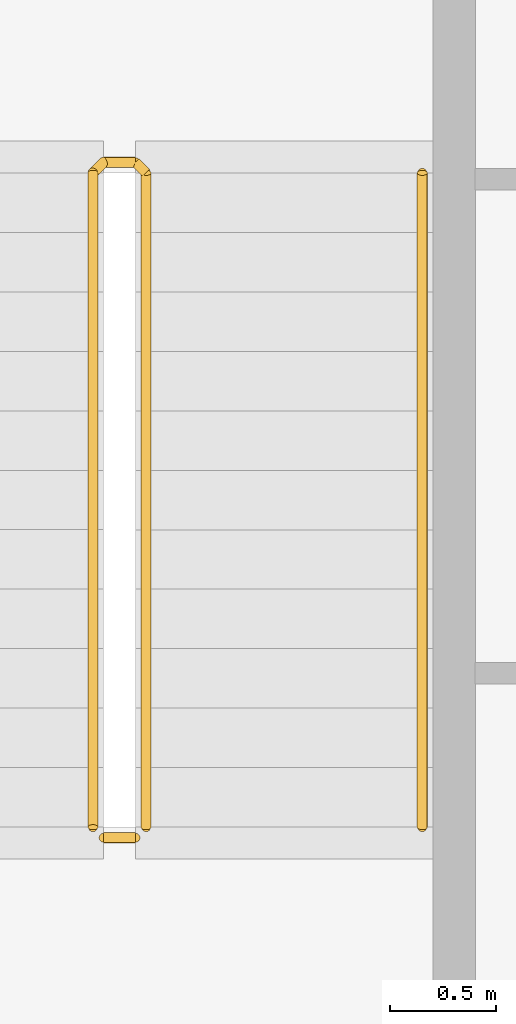
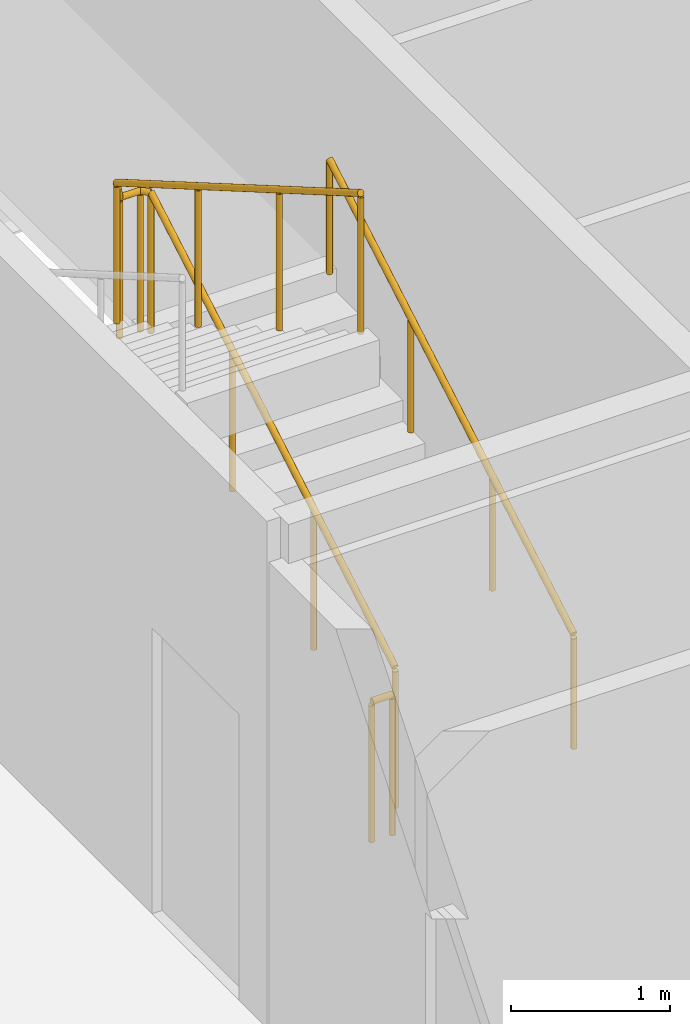
# One storey, part 26 of 27: 3 railings.
"""IFC4 building model written with IfcOpenShell, lengths in metres."""

from ifc_helpers import new_model, si_unit, direction, frame, origin, origin_2d, place, context, subcontext, project, spatial, circle, extrude, material, type_object, element, save


model = new_model("IFC4")

# Units and contexts
model_context = context("Model", 3, precision=1e-05, world=origin(), true_north=direction((0.0, 1.0)))
body_context = subcontext(model_context, "Body", "Model", "MODEL_VIEW")
ifc_project = project(units=[si_unit("LENGTHUNIT", "METRE"), si_unit("AREAUNIT", "SQUARE_METRE"), si_unit("VOLUMEUNIT", "CUBIC_METRE"), si_unit("PLANEANGLEUNIT", "RADIAN"), si_unit("MASSUNIT", "GRAM", prefix="KILO")], contexts=[model_context])

# Site, building, storey
site_placement = place(None, origin())
site = spatial("IfcSite", under=ifc_project, at=site_placement, CompositionType="ELEMENT")
building_placement = place(site_placement, origin())
building = spatial("IfcBuilding", under=site, at=building_placement, Name="Kheshtan School and Residences Tower", CompositionType="ELEMENT")
storey_placement = place(building_placement, frame((0.0, 0.0, 57.800048828125)))
storey = spatial("IfcBuildingStorey", under=building, at=storey_placement, Name="L13", CompositionType="ELEMENT", Elevation=57.800048828125)

# Railings
ifc_material_1 = material(Name="Stainless steel balustrade", Category="steel")
railing_type_1 = type_object("IfcRailingType", Name="Stair guard 1100", PredefinedType="GUARDRAIL", material=ifc_material_1)
railing_1_placement = place(storey_placement, frame((35.0, 80.89990234375, 0.162353515625)))
element("IfcRailing", 1, at=railing_1_placement, inside=storey, type_object=railing_type_1, Name="L13 ST3 stair guard 1", PredefinedType="GUARDRAIL", context=body_context, shape_type="SweptSolid", body=[
    extrude(circle(Radius=0.02392578125, at=origin_2d()), frame((0.0, 0.0, 1.076171875), z_axis=(0.0, 0.864890721111, 0.501960198159), x_axis=(-1.0, 0.0, 0.0)), (0.0, 0.0, 1.0), 3.561279296875),
    extrude(circle(Radius=0.02392578125, at=origin_2d()), frame((0.0, 3.080078125, 2.86376953125), z_axis=(-0.707106781187, 0.707106781187, 0.0), x_axis=(-0.707106781187, -0.707106781187, 0.0)), (0.0, 0.0, 1.0), 0.07080078125),
    extrude(circle(Radius=0.02392578125, at=origin_2d()), frame((-0.050048828125, 3.130126953125, 2.86376953125), z_axis=(-1.0, 0.0, 0.0), x_axis=(0.0, -1.0, 0.0)), (0.0, 0.0, 1.0), 0.14990234375),
    extrude(circle(Radius=0.02392578125, at=origin_2d()), frame((-0.199951171875, 3.130126953125, 2.86376953125), z_axis=(-0.282227285176, -0.282227285176, 0.916894497205), x_axis=(0.707106781187, -0.707106781187, 0.0)), (0.0, 0.0, 1.0), 0.17724609375),
    extrude(circle(Radius=0.02392578125, at=origin_2d()), frame((-0.25, 3.080078125, 3.0263671875), z_axis=(0.0, -0.864920483161, 0.501908913857), x_axis=(1.0, 0.0, 0.0)), (0.0, 0.0, 1.0), 3.56103515625),
    extrude(circle(Radius=0.02099609375, at=origin_2d()), origin(), (0.0, 0.0, 1.0), 1.052001953125),
    extrude(circle(Radius=0.02099609375, at=origin_2d()), frame((0.0, 1.026611328125, 0.595947265625)), (0.0, 0.0, 1.0), 1.052001953125),
    extrude(circle(Radius=0.02099609375, at=origin_2d()), frame((0.0, 2.053466796875, 1.191650390625)), (0.0, 0.0, 1.0), 1.052001953125),
    extrude(circle(Radius=0.02099609375, at=origin_2d()), frame((0.0, 3.080078125, 1.78759765625)), (0.0, 0.0, 1.0), 1.052001953125),
    extrude(circle(Radius=0.02099609375, at=origin_2d()), frame((-0.050048828125, 3.130126953125, 1.78759765625)), (0.0, 0.0, 1.0), 1.052001953125),
    extrude(circle(Radius=0.02099609375, at=origin_2d()), frame((-0.199951171875, 3.130126953125, 1.78759765625)), (0.0, 0.0, 1.0), 1.052001953125),
    extrude(circle(Radius=0.02099609375, at=origin_2d()), frame((-0.25, 3.080078125, 1.9501953125)), (0.0, 0.0, 1.0), 1.052001953125),
    extrude(circle(Radius=0.02099609375, at=origin_2d()), frame((-0.25, 2.053466796875, 2.5458984375)), (0.0, 0.0, 1.0), 1.052001953125),
    extrude(circle(Radius=0.02099609375, at=origin_2d()), frame((-0.25, 1.026611328125, 3.141845703125)), (0.0, 0.0, 1.0), 1.052001953125),
    extrude(circle(Radius=0.02099609375, at=origin_2d()), frame((-0.25, 0.0, 3.737548828125)), (0.0, 0.0, 1.0), 1.052001953125),
])
railing_2_placement = place(storey_placement, frame((34.949951171875, 80.85009765625, 0.0)))
element("IfcRailing", 2, at=railing_2_placement, inside=storey, type_object=railing_type_1, Name="L13 ST3 stair guard 2", PredefinedType="GUARDRAIL", context=body_context, shape_type="SweptSolid", body=[
    extrude(circle(Radius=0.02392578125, at=origin_2d()), frame((0.0, 0.0, 1.076171875), z_axis=(-1.0, 0.0, 0.0), x_axis=(0.0, -1.0, 0.0)), (0.0, 0.0, 1.0), 0.14990234375),
    extrude(circle(Radius=0.02099609375, at=origin_2d()), origin(), (0.0, 0.0, 1.0), 1.052001953125),
    extrude(circle(Radius=0.02099609375, at=origin_2d()), frame((-0.14990234375, 0.0, 0.0)), (0.0, 0.0, 1.0), 1.052001953125),
])
ifc_material_2 = material(Name="Stainless steel handrail", Category="steel")
railing_type_2 = type_object("IfcRailingType", Name="Stair handrail 900", PredefinedType="HANDRAIL", material=ifc_material_2)
railing_3_placement = place(storey_placement, frame((36.300048828125, 80.89990234375, 0.162353515625)))
element("IfcRailing", 3, at=railing_3_placement, inside=storey, type_object=railing_type_2, Name="L13 ST3 stair handrail 1", PredefinedType="HANDRAIL", context=body_context, shape_type="SweptSolid", body=[
    extrude(circle(Radius=0.02392578125, at=origin_2d()), frame((0.0, 0.0, 0.8759765625), z_axis=(0.0, 0.864890721111, 0.501960198159), x_axis=(-1.0, 0.0, 0.0)), (0.0, 0.0, 1.0), 3.561279296875),
    extrude(circle(Radius=0.02099609375, at=origin_2d()), origin(), (0.0, 0.0, 1.0), 0.851806640625),
    extrude(circle(Radius=0.02099609375, at=origin_2d()), frame((0.0, 1.026611328125, 0.595947265625)), (0.0, 0.0, 1.0), 0.851806640625),
    extrude(circle(Radius=0.02099609375, at=origin_2d()), frame((0.0, 2.053466796875, 1.191650390625)), (0.0, 0.0, 1.0), 0.851806640625),
    extrude(circle(Radius=0.02099609375, at=origin_2d()), frame((0.0, 3.080078125, 1.78759765625)), (0.0, 0.0, 1.0), 0.851806640625),
])

save(model, "model.ifc")
